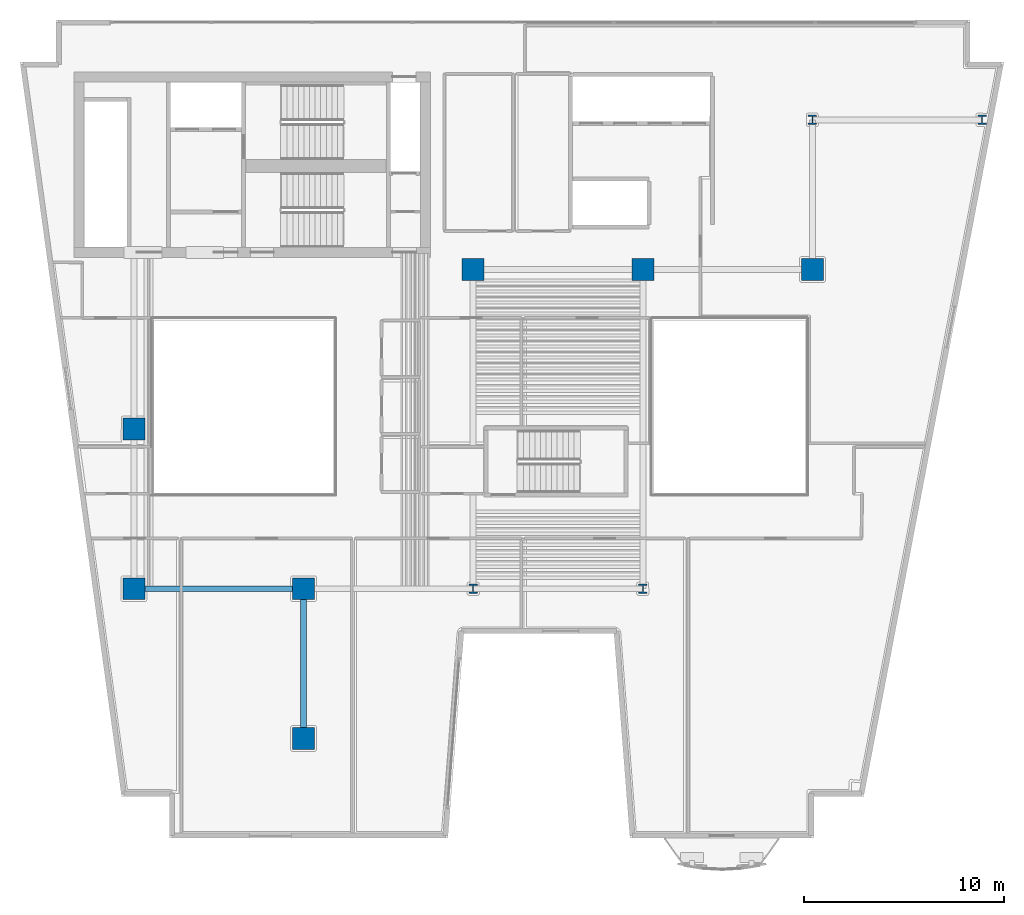
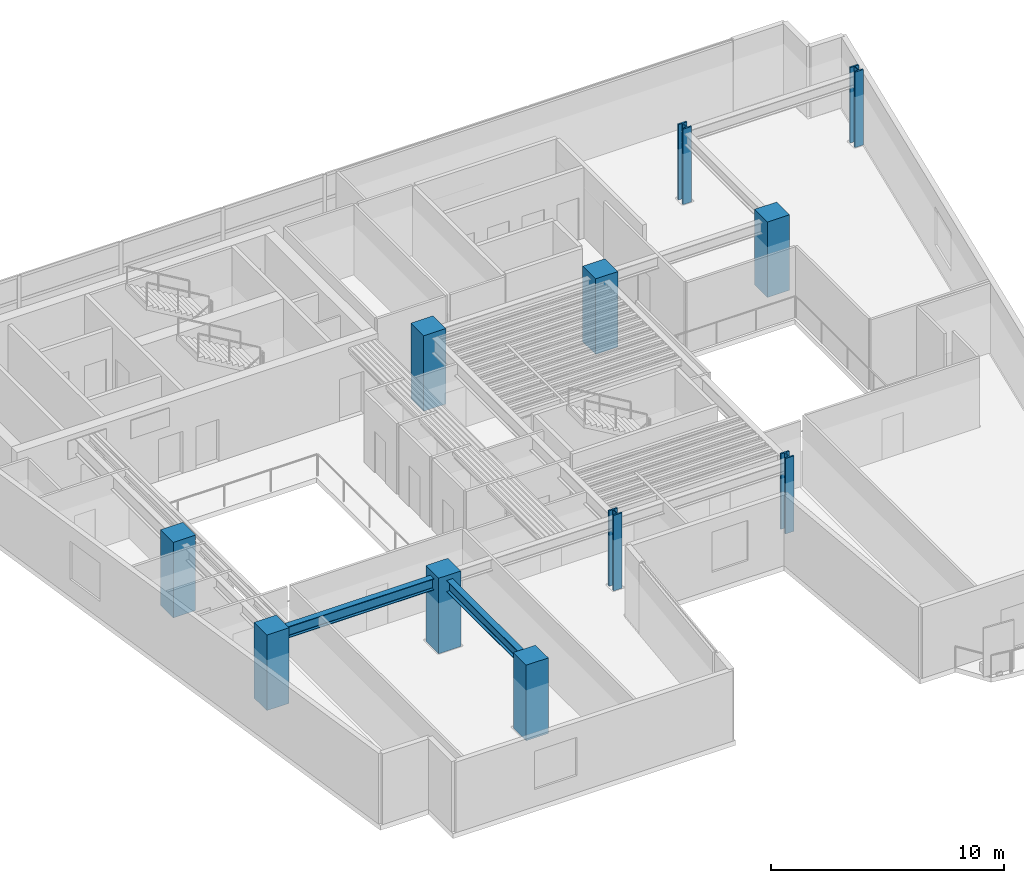
# One storey, part 1 of 12: 11 columns, 2 beams.
"""IFC4 building model written with IfcOpenShell, lengths in metres."""

import ifcopenshell
import ifcopenshell.guid

model = None  # the IFC model being written
_history = None  # IfcOwnerHistory: only IFC2X3 demands one
_inside = {}  # id of a spatial element -> (the spatial element, [elements in it])
_under = {}  # id of a project, library or spatial element -> (it, [spatial elements below it])
_declared = {}  # id of a project -> (the project, [libraries it declares])
_typed = {}  # id of a type object -> (the type object, [elements of that type])
_made_of = {}  # id of a material, layer set ... -> (it, [elements and type objects made of it])


def new_model(schema):
    """Start an empty IFC model of exactly this schema.

    Asked for "IFC4X3", IfcOpenShell would pick the latest addendum, in which some entities
    have other attributes; the version numbers below select the first issue.
    IFC2X3 requires an IfcOwnerHistory on every rooted entity: one is made here for all.
    """
    global model, _history
    if schema == "IFC4X3":
        model = ifcopenshell.file(schema_version=(4, 3, 0, 0))
    else:
        model = ifcopenshell.file(schema=schema)
    _inside.clear()
    _under.clear()
    _declared.clear()
    _typed.clear()
    _made_of.clear()
    _history = None
    if model.schema == "IFC2X3":
        org = make("IfcOrganization", Name="unknown")
        user = make(
            "IfcPersonAndOrganization",
            ThePerson=make("IfcPerson", FamilyName="unknown"),
            TheOrganization=org,
        )
        app = make(
            "IfcApplication",
            ApplicationDeveloper=org,
            Version="unknown",
            ApplicationFullName="unknown",
            ApplicationIdentifier="unknown",
        )
        _history = make(
            "IfcOwnerHistory",
            OwningUser=user,
            OwningApplication=app,
            ChangeAction="ADDED",
            CreationDate=0,
        )
    return model


def make(cls, **values):
    """One entity of the class cls with the attributes given. An attribute that is None is left unset."""
    return model.create_entity(
        cls, **{name: value for name, value in values.items() if value is not None}
    )


def rooted(cls, **values):
    """An entity with a GlobalId (a new one), such as an element, a storey or a relation."""
    return make(cls, GlobalId=ifcopenshell.guid.new(), OwnerHistory=_history, **values)


def si_unit(unit_type, name, prefix=None):
    """IfcSIUnit, for example si_unit("LENGTHUNIT", "METRE", prefix="MILLI")."""
    return make("IfcSIUnit", UnitType=unit_type, Prefix=prefix, Name=name)


def assignment(units):
    """IfcUnitAssignment: the units of a project."""
    return None if units is None else make("IfcUnitAssignment", Units=units)


def point(xyz):
    """IfcCartesianPoint."""
    return None if xyz is None else make("IfcCartesianPoint", Coordinates=xyz)


def direction(xyz):
    """IfcDirection."""
    return None if xyz is None else make("IfcDirection", DirectionRatios=xyz)


def frame(location, z_axis=None, x_axis=None):
    """IfcAxis2Placement3D, a coordinate frame: its origin and axes. An axis left out is left unset."""
    return make(
        "IfcAxis2Placement3D",
        Location=point(location),
        Axis=direction(z_axis),
        RefDirection=direction(x_axis),
    )


def frame_2d(location, x_axis=None):
    """IfcAxis2Placement2D, a coordinate frame in the plane: its origin and x axis."""
    return make(
        "IfcAxis2Placement2D", Location=point(location), RefDirection=direction(x_axis)
    )


def origin():
    """The frame at (0, 0, 0) with its axes left unset."""
    return frame((0.0, 0.0, 0.0))


def origin_2d():
    """The frame at (0, 0) in the plane with its x axis left unset."""
    return frame_2d((0.0, 0.0))


def place(relative_to, where):
    """IfcLocalPlacement: puts the frame where relative to a parent placement (None: the world)."""
    return make(
        "IfcLocalPlacement", PlacementRelTo=relative_to, RelativePlacement=where
    )


def context(
    kind, dimensions, precision=None, world=None, true_north=None, identifier=None
):
    """IfcGeometricRepresentationContext, for example the 3D "Model" context."""
    return make(
        "IfcGeometricRepresentationContext",
        ContextIdentifier=identifier,
        ContextType=kind,
        CoordinateSpaceDimension=dimensions,
        Precision=precision,
        WorldCoordinateSystem=world,
        TrueNorth=true_north,
    )


def subcontext(parent, identifier, kind, view, scale=None):
    """IfcGeometricRepresentationSubContext, for example "Body" below "Model"."""
    return make(
        "IfcGeometricRepresentationSubContext",
        ContextIdentifier=identifier,
        ContextType=kind,
        ParentContext=parent,
        TargetScale=scale,
        TargetView=view,
    )


def project(units=None, contexts=None):
    """IfcProject with its units and contexts."""
    return rooted(
        "IfcProject",
        Name="project",
        RepresentationContexts=contexts,
        UnitsInContext=assignment(units),
    )


def spatial(cls, under=None, at=None, **own):
    """A site, building, storey or space (cls), placed at a placement, below another one or the project."""
    s = rooted(cls, ObjectPlacement=at, **own)
    if under is not None:
        _under.setdefault(under.id(), (under, []))[1].append(s)
    return s


def profile(cls, at=None, kind="AREA", **sizes):
    """A parametric profile (cls). Its sizes go by their IFC names, for example OverallWidth=200.0."""
    return make(cls, ProfileType=kind, Position=at, **sizes)


def rectangle(**sizes):
    """IfcRectangleProfileDef."""
    return profile("IfcRectangleProfileDef", **sizes)


def i_section(**sizes):
    """IfcIShapeProfileDef."""
    return profile("IfcIShapeProfileDef", **sizes)


def extrude(swept, where, along, depth):
    """IfcExtrudedAreaSolid: the profile swept, set in the frame where, extruded along a direction by depth."""
    return make(
        "IfcExtrudedAreaSolid",
        SweptArea=swept,
        Position=where,
        ExtrudedDirection=direction(along),
        Depth=depth,
    )


def shape(context_of_items, identifier, shape_type, items):
    """IfcShapeRepresentation: the items that make up one representation, for example the "Body"."""
    return make(
        "IfcShapeRepresentation",
        ContextOfItems=context_of_items,
        RepresentationIdentifier=identifier,
        RepresentationType=shape_type,
        Items=items,
    )


def material(Name=None, Category=None):
    """IfcMaterial."""
    return make("IfcMaterial", Name=Name, Category=Category)


def material_profile(
    of_material, cross_section, Name=None, Category=None, Priority=None
):
    """IfcMaterialProfile: a cross section and its material."""
    return make(
        "IfcMaterialProfile",
        Name=Name,
        Material=of_material,
        Profile=cross_section,
        Priority=Priority,
        Category=Category,
    )


def profile_set(profiles, Name=None, composite=None):
    """IfcMaterialProfileSet."""
    return make(
        "IfcMaterialProfileSet",
        Name=Name,
        MaterialProfiles=profiles,
        CompositeProfile=composite,
    )


def made_of(thing, what):
    """Note that an element or type object is made of a material, layer set ...; save() writes the relation."""
    if what is not None:
        _made_of.setdefault(what.id(), (what, []))[1].append(thing)
    return thing


def type_object(cls, material=None, **own):
    """A type object (cls), such as IfcWallType, which elements share."""
    return made_of(rooted(cls, **own), material)


def element(
    cls,
    number,
    at=None,
    inside=None,
    cuts=None,
    type_object=None,
    material=None,
    context=None,
    identifier="Body",
    shape_type=None,
    held_by="IfcProductDefinitionShape",
    body=None,
    shapes=None,
    **own,
):
    """One element of the class cls, such as IfcWall. Its Tag is "e" and its number.

    at: its placement. inside: the storey or other place that contains it. cuts: it is an
    opening in that element (IfcRelVoidsElement). A single representation is given by context,
    identifier, shape_type and body (its items); several are given by shapes. held_by: the class
    of the entity that holds the representations. save() writes the other relations.
    """
    e = rooted(cls, Tag="e%d" % number, ObjectPlacement=at, **own)
    if body is not None:
        shapes = [shape(context, identifier, shape_type, body)]
    if shapes is not None:
        e.Representation = make(held_by, Representations=shapes)
    if inside is not None:
        _inside.setdefault(inside.id(), (inside, []))[1].append(e)
    if cuts is not None:
        rooted(
            "IfcRelVoidsElement", RelatingBuildingElement=cuts, RelatedOpeningElement=e
        )
    if type_object is not None:
        _typed.setdefault(type_object.id(), (type_object, []))[1].append(e)
    return made_of(e, material)


def aggregate(whole, parts):
    """IfcRelAggregates: a whole, such as a stair, and the parts it consists of."""
    return rooted("IfcRelAggregates", RelatingObject=whole, RelatedObjects=parts)


def save(model, path):
    """Write the relations noted so far, then the file.

    IfcRelAggregates (storeys below a building ...), IfcRelContainedInSpatialStructure (elements
    in a storey), IfcRelDefinesByType, IfcRelAssociatesMaterial and IfcRelDeclares: one each for
    every whole, place, type object, material and project.
    """
    for whole, parts in _under.values():
        aggregate(whole, parts)
    for where, things in _inside.values():
        rooted(
            "IfcRelContainedInSpatialStructure",
            RelatedElements=things,
            RelatingStructure=where,
        )
    for kind, things in _typed.values():
        rooted("IfcRelDefinesByType", RelatedObjects=things, RelatingType=kind)
    for what, things in _made_of.values():
        rooted("IfcRelAssociatesMaterial", RelatedObjects=things, RelatingMaterial=what)
    for by, libraries in _declared.values():
        rooted("IfcRelDeclares", RelatingContext=by, RelatedDefinitions=libraries)
    model.write(path)


model = new_model("IFC4")

# Units and contexts
model_context = context("Model", 3, precision=1e-05, world=origin(), true_north=direction((0.0, 1.0)))
body_context = subcontext(model_context, "Body", "Model", "MODEL_VIEW")
ifc_project = project(units=[si_unit("LENGTHUNIT", "METRE"), si_unit("AREAUNIT", "SQUARE_METRE"), si_unit("VOLUMEUNIT", "CUBIC_METRE"), si_unit("PLANEANGLEUNIT", "RADIAN"), si_unit("MASSUNIT", "GRAM", prefix="KILO")], contexts=[model_context])

# Site, building, storey
site_placement = place(None, origin())
site = spatial("IfcSite", under=ifc_project, at=site_placement, CompositionType="ELEMENT")
building_placement = place(site_placement, origin())
building = spatial("IfcBuilding", under=site, at=building_placement, Name="Caeloran Harvest Quay", CompositionType="ELEMENT")
storey_placement = place(building_placement, frame((0.0, 0.0, 150.89990234375)))
storey = spatial("IfcBuildingStorey", under=building, at=storey_placement, Name="L35", CompositionType="ELEMENT", Elevation=150.89990234375)

# Columns
ifc_material_1 = material(Name="Concrete C70/85", Category="concrete")
ifc_material_profile_1 = material_profile(ifc_material_1, rectangle(XDim=1.10009765625, YDim=1.10009765625, at=origin_2d()), Name="RC 1100x1100")
ifc_profile_set_1 = profile_set([ifc_material_profile_1], Name="Concrete C70/85")
column_type_1 = type_object("IfcColumnType", Name="COL-MC-3-RC_1100x1100", PredefinedType="COLUMN", material=ifc_profile_set_1)
for number, where, z_axis, x_axis, name in (
    (1, (8.5, 15.0, 0.0), (0.0, 0.0, 1.0), (1.0, 0.0, 0.0), "L35 Structural Column (8.5, 15.0)"),
    (2, (8.5, 23.0, 0.0), (0.0, 0.0, 1.0), (1.0, 0.0, 0.0), "L35 Structural Column (8.5, 23.0)"),
    (3, (17.0, 7.5, 0.0), (0.0, 0.0, 1.0), (1.0, 0.0, 0.0), "L35 Structural Column (17.0, 7.5)"),
    (4, (17.0, 15.0, 0.0), (0.0, 0.0, 1.0), (1.0, 0.0, 0.0), "L35 Structural Column (17.0, 15.0)"),
    (5, (25.5, 31.0, 0.0), (0.0, 0.0, 1.0), (1.0, 0.0, 0.0), "L35 Structural Column (25.5, 31.0)"),
    (6, (34.0, 31.0, 0.0), (0.0, 0.0, 1.0), (1.0, 0.0, 0.0), "L35 Structural Column (34.0, 31.0)"),
    (7, (42.5, 31.0, 0.0), (0.0, 0.0, 1.0), (1.0, 0.0, 0.0), "L35 Structural Column (42.5, 31.0)"),
):
    element("IfcColumn", number, at=place(storey_placement, frame(where, z_axis=z_axis, x_axis=x_axis)), inside=storey, type_object=column_type_1, Name=name, PredefinedType="COLUMN", context=body_context, shape_type="SweptSolid", body=[
        extrude(rectangle(XDim=1.10009765625, YDim=1.10009765625, at=origin_2d()), origin(), (0.0, 0.0, 1.0), 3.9501953125),
    ])
ifc_material_2 = material(Name="Steel HISTAR 460", Category="steel")
ifc_material_profile_2 = material_profile(ifc_material_2, i_section(OverallWidth=0.424072265625, OverallDepth=0.47412109375, WebThickness=0.047607421875, FlangeThickness=0.076904296875, FilletRadius=0.014892578125, at=origin_2d()), Name="HD 400x634")
ifc_profile_set_2 = profile_set([ifc_material_profile_2], Name="Steel HISTAR 460")
column_type_2 = type_object("IfcColumnType", Name="COL-SC-3-HD_400x634", PredefinedType="COLUMN", material=ifc_profile_set_2)
for number, where, z_axis, x_axis, name in (
    (8, (25.5, 15.0, 0.0), (0.0, 0.0, 1.0), (1.0, 0.0, 0.0), "L35 Structural Column (25.5, 15.0)"),
    (9, (34.0, 15.0, 0.0), (0.0, 0.0, 1.0), (1.0, 0.0, 0.0), "L35 Structural Column (34.0, 15.0)"),
    (10, (42.5, 38.5, 0.0), (0.0, 0.0, 1.0), (1.0, 0.0, 0.0), "L35 Structural Column (42.5, 38.5)"),
    (11, (51.0, 38.5, 0.0), (0.0, 0.0, 1.0), (1.0, 0.0, 0.0), "L35 Structural Column (51.0, 38.5)"),
):
    element("IfcColumn", number, at=place(storey_placement, frame(where, z_axis=z_axis, x_axis=x_axis)), inside=storey, type_object=column_type_2, Name=name, PredefinedType="COLUMN", context=body_context, shape_type="SweptSolid", body=[
        extrude(i_section(OverallWidth=0.424072265625, OverallDepth=0.47412109375, WebThickness=0.047607421875, FlangeThickness=0.076904296875, FilletRadius=0.014892578125, at=origin_2d()), origin(), (0.0, 0.0, 1.0), 3.9501953125),
    ])

# Beams
ifc_material_3 = material(Name="Steel S355J2", Category="steel")
ifc_material_profile_3 = material_profile(ifc_material_3, i_section(OverallWidth=0.300048828125, OverallDepth=0.60009765625, WebThickness=0.015380859375, FlangeThickness=0.030029296875, FilletRadius=0.027099609375, at=origin_2d()), Name="HE 600 B")
ifc_profile_set_3 = profile_set([ifc_material_profile_3], Name="Steel S355J2")
beam_type = type_object("IfcBeamType", Name="BM-PG-3-HE_600_B", PredefinedType="BEAM", material=ifc_profile_set_3)
beam_1_placement = place(storey_placement, frame((8.5, 15.0, 3.39013671875), z_axis=(1.0, 0.0, 0.0), x_axis=(0.0, 1.0, 0.0)))
element("IfcBeam", 12, at=beam_1_placement, inside=storey, type_object=beam_type, Name="L35 Primary East-West Girder Y=15.0", PredefinedType="BEAM", context=body_context, shape_type="SweptSolid", body=[
    extrude(i_section(OverallWidth=0.300048828125, OverallDepth=0.60009765625, WebThickness=0.015380859375, FlangeThickness=0.030029296875, FilletRadius=0.027099609375, at=origin_2d()), origin(), (0.0, 0.0, 1.0), 8.5),
])
beam_2_placement = place(storey_placement, frame((17.0, 7.5, 3.39013671875), z_axis=(0.0, 1.0, 0.0), x_axis=(-1.0, 0.0, 0.0)))
element("IfcBeam", 13, at=beam_2_placement, inside=storey, type_object=beam_type, Name="L35 Primary North-South Girder X=17.0", PredefinedType="BEAM", context=body_context, shape_type="SweptSolid", body=[
    extrude(i_section(OverallWidth=0.300048828125, OverallDepth=0.60009765625, WebThickness=0.015380859375, FlangeThickness=0.030029296875, FilletRadius=0.027099609375, at=origin_2d()), origin(), (0.0, 0.0, 1.0), 7.5),
])

save(model, "model.ifc")
